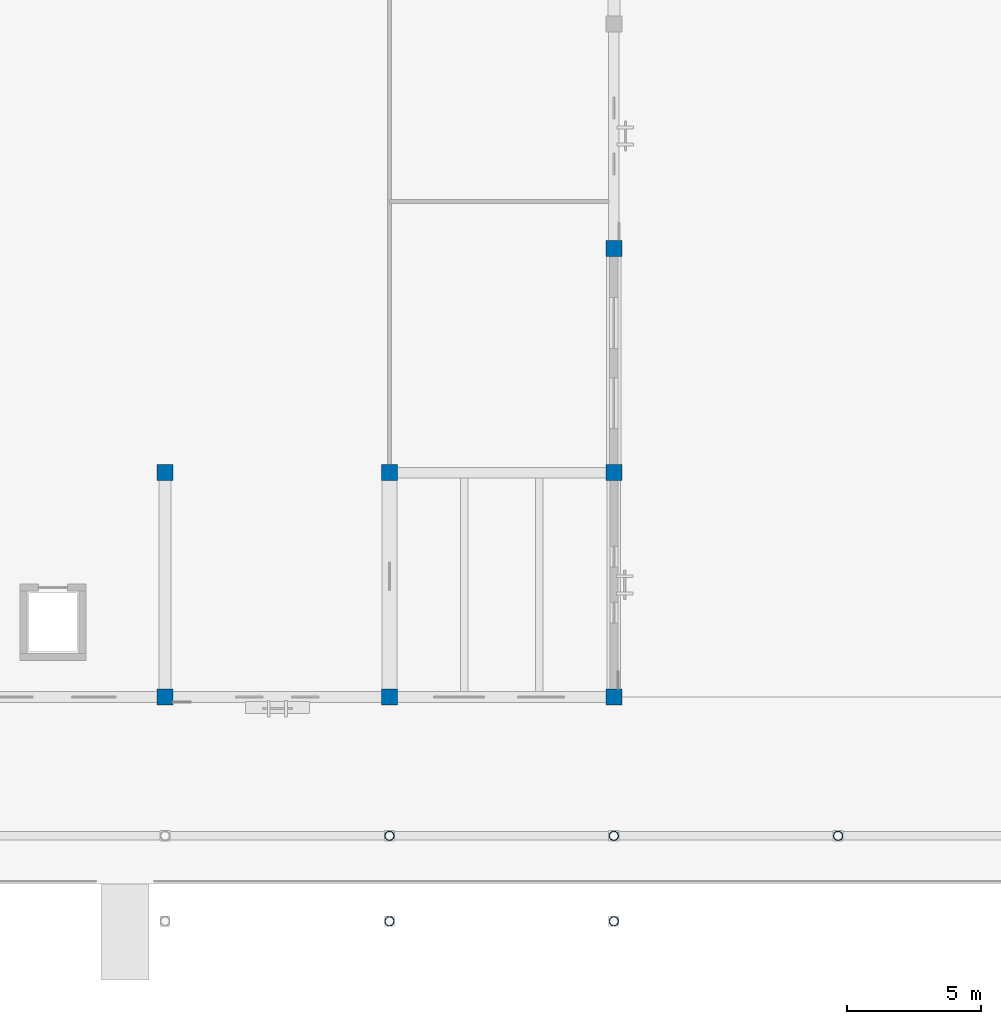
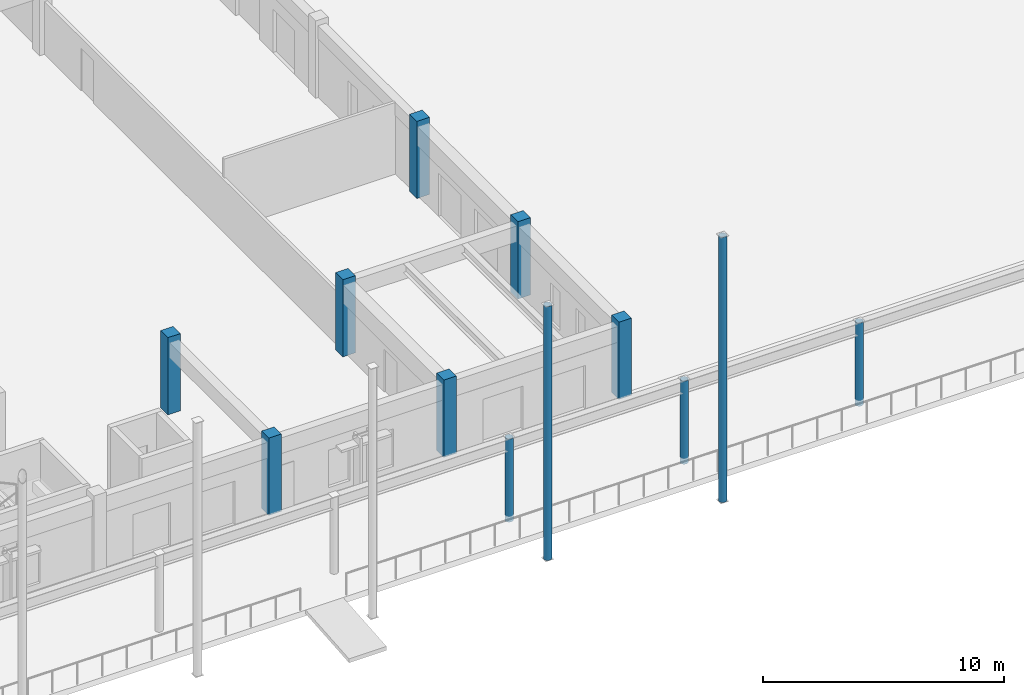
# One storey, part 6 of 135: 12 columns.
"""IFC4 building model written with IfcOpenShell, lengths in metres."""

from ifc_helpers import new_model, si_unit, direction, frame, origin, origin_2d, place, context, subcontext, project, spatial, rectangle, hollow_circle, extrude, material, material_profile, profile_set, type_object, element, save


model = new_model("IFC4")

# Units and contexts
model_context = context("Model", 3, precision=1e-05, world=origin(), true_north=direction((0.0, 1.0)))
body_context = subcontext(model_context, "Body", "Model", "MODEL_VIEW")
ifc_project = project(units=[si_unit("LENGTHUNIT", "METRE"), si_unit("AREAUNIT", "SQUARE_METRE"), si_unit("VOLUMEUNIT", "CUBIC_METRE"), si_unit("PLANEANGLEUNIT", "RADIAN"), si_unit("MASSUNIT", "GRAM", prefix="KILO")], contexts=[model_context])

# Site, building, storey
site_placement = place(None, origin())
site = spatial("IfcSite", under=ifc_project, at=site_placement, CompositionType="ELEMENT")
building_placement = place(site_placement, origin())
building = spatial("IfcBuilding", under=site, at=building_placement, Name="Cumbredor Promenade Congress Hotel", CompositionType="ELEMENT")
storey_placement = place(building_placement, origin())
storey = spatial("IfcBuildingStorey", under=building, at=storey_placement, Name="L00", CompositionType="ELEMENT", Elevation=0.0)

# Columns
ifc_material_1 = material(Name="Concrete C40/50", Category="concrete")
ifc_material_profile_1 = material_profile(ifc_material_1, rectangle(XDim=0.60009765625, YDim=0.60009765625, at=origin_2d()), Name="RC 600x600")
ifc_profile_set_1 = profile_set([ifc_material_profile_1], Name="Concrete C40/50")
column_type_1 = type_object("IfcColumnType", Name="COL-RC-600", PredefinedType="COLUMN", material=ifc_profile_set_1)
for number, where, z_axis, x_axis, name in (
    (1, (92.39990234375, 8.39990234375, 0.0), (0.0, 0.0, 1.0), (1.0, 0.0, 0.0), "L00 Structural Column 111"),
    (2, (92.39990234375, 16.800048828125, 0.0), (0.0, 0.0, 1.0), (1.0, 0.0, 0.0), "L00 Structural Column 112"),
    (3, (100.800048828125, 8.39990234375, 0.0), (0.0, 0.0, 1.0), (1.0, 0.0, 0.0), "L00 Structural Column 120"),
    (4, (100.800048828125, 16.800048828125, 0.0), (0.0, 0.0, 1.0), (1.0, 0.0, 0.0), "L00 Structural Column 121"),
    (5, (109.199951171875, 8.39990234375, 0.0), (0.0, 0.0, 1.0), (1.0, 0.0, 0.0), "L00 Structural Column 129"),
    (6, (109.199951171875, 16.800048828125, 0.0), (0.0, 0.0, 1.0), (1.0, 0.0, 0.0), "L00 Structural Column 130"),
    (7, (109.199951171875, 25.199951171875, 0.0), (0.0, 0.0, 1.0), (1.0, 0.0, 0.0), "L00 Structural Column 131"),
):
    element("IfcColumn", number, at=place(storey_placement, frame(where, z_axis=z_axis, x_axis=x_axis)), inside=storey, type_object=column_type_1, Name=name, PredefinedType="COLUMN", context=body_context, shape_type="SweptSolid", body=[
        extrude(rectangle(XDim=0.60009765625, YDim=0.60009765625, at=origin_2d()), origin(), (0.0, 0.0, 1.0), 3.919921875),
    ])
ifc_material_2 = material(Name="Steel ASTM A500 Grade C", Category="steel")
ifc_material_profile_2 = material_profile(ifc_material_2, hollow_circle(Radius=0.177734375, WallThickness=0.01611328125, at=origin_2d()), Name="CHS 355.6x16")
ifc_profile_set_2 = profile_set([ifc_material_profile_2], Name="Steel ASTM A500 Grade C")
column_type_2 = type_object("IfcColumnType", Name="COL-STL-CHS355", PredefinedType="COLUMN", material=ifc_profile_set_2)
for number, where, z_axis, x_axis, name in (
    (8, (100.800048828125, 3.199951171875, -0.300048828125), (0.0, 0.0, 1.0), (1.0, 0.0, 0.0), "Promenade Colonnade Column TC-020"),
    (9, (109.199951171875, 3.199951171875, -0.300048828125), (0.0, 0.0, 1.0), (1.0, 0.0, 0.0), "Promenade Colonnade Column TC-021"),
    (10, (117.60009765625, 3.199951171875, -0.300048828125), (0.0, 0.0, 1.0), (1.0, 0.0, 0.0), "Promenade Colonnade Column TC-022"),
):
    element("IfcColumn", number, at=place(storey_placement, frame(where, z_axis=z_axis, x_axis=x_axis)), inside=storey, type_object=column_type_2, Name=name, PredefinedType="COLUMN", context=body_context, shape_type="SweptSolid", body=[
        extrude(hollow_circle(Radius=0.177734375, WallThickness=0.01611328125, at=origin_2d()), origin(), (0.0, 0.0, 1.0), 4.219970703125),
    ])
column_1_placement = place(storey_placement, frame((100.800048828125, 0.0, -0.300048828125), z_axis=(0.0, 0.0, 1.0), x_axis=(1.0, 0.0, 0.0)))
element("IfcColumn", 11, at=column_1_placement, inside=storey, type_object=column_type_2, Name="Thermal Spa and Hydrotherapy Pavilion Slim Overhang Pavilion Column 04", PredefinedType="COLUMN", context=body_context, shape_type="SweptSolid", body=[
    extrude(hollow_circle(Radius=0.177734375, WallThickness=0.01611328125, at=origin_2d()), origin(), (0.0, 0.0, 1.0), 12.88037109375),
])
column_2_placement = place(storey_placement, frame((109.199951171875, 0.0, -0.300048828125), z_axis=(0.0, 0.0, 1.0), x_axis=(1.0, 0.0, 0.0)))
element("IfcColumn", 12, at=column_2_placement, inside=storey, type_object=column_type_2, Name="Thermal Spa and Hydrotherapy Pavilion Slim Overhang Pavilion Column 05", PredefinedType="COLUMN", context=body_context, shape_type="SweptSolid", body=[
    extrude(hollow_circle(Radius=0.177734375, WallThickness=0.01611328125, at=origin_2d()), origin(), (0.0, 0.0, 1.0), 13.451171875),
])

save(model, "model.ifc")
